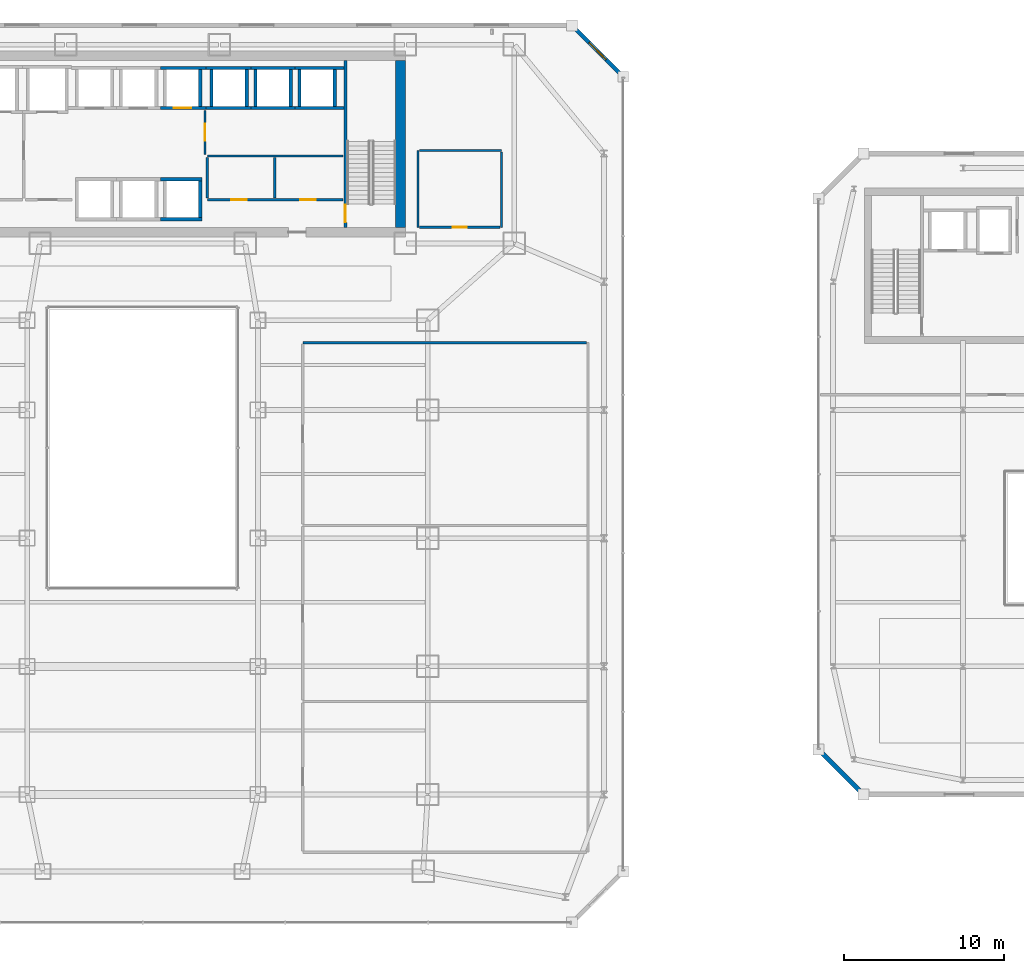
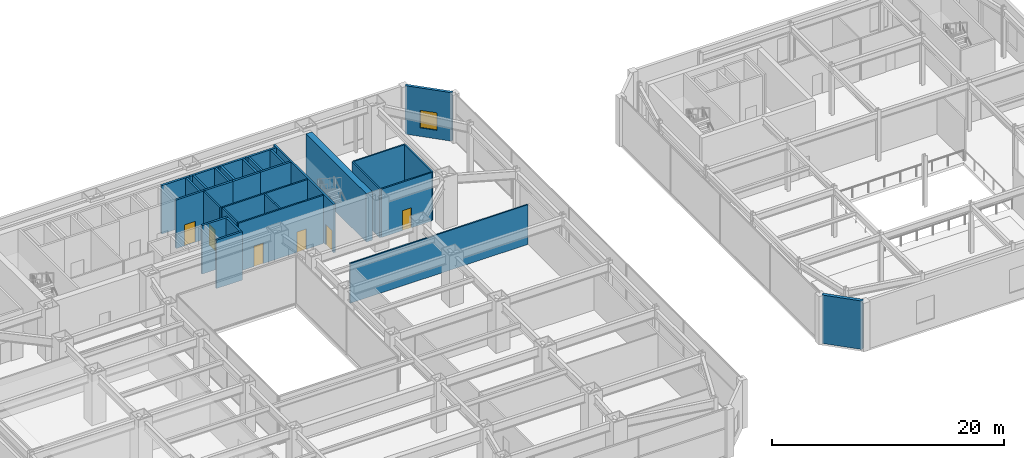
# One storey, part 41 of 52: 32 walls, 6 doors, 1 window, 7 openings.
"""IFC4 building model written with IfcOpenShell, lengths in metres."""

from ifc_helpers import new_model, si_unit, direction, frame, frame_2d, origin, place, context, subcontext, project, spatial, rectangle, extrude, material, layer, layer_set, type_object, element, fill, save


model = new_model("IFC4")

# Units and contexts
model_context = context("Model", 3, precision=1e-05, world=origin(), true_north=direction((0.0, 1.0)))
body_context = subcontext(model_context, "Body", "Model", "MODEL_VIEW")
ifc_project = project(units=[si_unit("LENGTHUNIT", "METRE"), si_unit("AREAUNIT", "SQUARE_METRE"), si_unit("VOLUMEUNIT", "CUBIC_METRE"), si_unit("PLANEANGLEUNIT", "RADIAN"), si_unit("MASSUNIT", "GRAM", prefix="KILO")], contexts=[model_context])

# Site, building, storey
site_placement = place(None, origin())
site = spatial("IfcSite", under=ifc_project, at=site_placement, CompositionType="ELEMENT")
building_placement = place(site_placement, origin())
building = spatial("IfcBuilding", under=site, at=building_placement, Name="Saevonmaru Cultural Tower", CompositionType="ELEMENT")
storey_placement = place(building_placement, frame((0.0, 0.0, 16.800048828125)))
storey = spatial("IfcBuildingStorey", under=building, at=storey_placement, Name="L03", CompositionType="ELEMENT", Elevation=16.800048828125)

# Wall
ifc_material_1 = material(Name="Concrete C60/75", Category="concrete")
ifc_layer_1 = layer(ifc_material_1, 0.60009765625, Name="Concrete C60/75")
ifc_layer_set_1 = layer_set([ifc_layer_1], Name="Concrete C60/75")
wall_type_1 = type_object("IfcWallType", Name="WL-CORE-600", PredefinedType="SHEAR", material=ifc_layer_set_1)
wall_1_placement = place(storey_placement, frame((46.10009765625, 43.39990234375, 0.0), z_axis=(0.0, 0.0, 1.0), x_axis=(0.0, 1.0, 0.0)))
element("IfcWall", 1, at=wall_1_placement, inside=storey, type_object=wall_type_1, Name="L03 Tower RC core shear wall E", PredefinedType="SHEAR", context=body_context, shape_type="SweptSolid", body=[
    extrude(rectangle(XDim=10.400146484375, YDim=0.60009765625, at=frame_2d((5.2001953125, 0.0))), origin(), (0.0, 0.0, 1.0), 5.099853515625),
])

# Wall, opening, door
ifc_material_2 = material(Name="Gypsum Fireboard Partition", Category="gypsum")
ifc_layer_2 = layer(ifc_material_2, 0.14990234375, Name="Gypsum Fireboard Partition")
ifc_layer_set_2 = layer_set([ifc_layer_2], Name="Gypsum Fireboard Partition")
wall_type_2 = type_object("IfcWallType", Name="WL-CORE-PART-150", PredefinedType="PARTITIONING", material=ifc_layer_set_2)
wall_2_placement = place(storey_placement, frame((33.89990234375, 47.949951171875, 0.0), z_axis=(0.0, 0.0, 1.0), x_axis=(0.0, 1.0, 0.0)))
wall_2 = element("IfcWall", 2, at=wall_2_placement, inside=storey, type_object=wall_type_2, Name="L03 Zone Lobby Divider", PredefinedType="PARTITIONING", context=body_context, shape_type="SweptSolid", body=[
    extrude(rectangle(XDim=2.75, YDim=0.14990234375, at=frame_2d((1.375, 0.0))), origin(), (0.0, 0.0, 1.0), 5.099853515625),
])
opening_1_placement = place(wall_2_placement, frame((0.85009765625, 0.0, 0.0)))
opening_1 = element("IfcOpeningElement", 3, at=opening_1_placement, cuts=wall_2, Name="Opening ID-1", PredefinedType="OPENING", context=body_context, shape_type="SweptSolid", body=[
    extrude(rectangle(XDim=1.050048828125, YDim=2.14990234375, at=frame_2d((0.52490234375, 1.074951171875))), frame((0.0, 0.0849609375, 0.0), z_axis=(0.0, -1.0, 0.0), x_axis=(1.0, 0.0, 0.0)), (0.0, 0.0, 1.0), 0.169921875),
])
ifc_material_3 = material(Name="Satin Bronze Anodised Aluminium", Category="aluminium")
door_type_1 = type_object("IfcDoorType", Name="DR-INT-1050", OperationType="SINGLE_SWING_LEFT", PredefinedType="DOOR", material=ifc_material_3)
door_1_placement = place(opening_1_placement, origin())
door_1 = element("IfcDoor", 4, at=door_1_placement, inside=storey, type_object=door_type_1, Name="L03 Inter-Lobby Link Door", OperationType="SINGLE_SWING_LEFT", OverallHeight=2.14990234375, OverallWidth=1.050048828125, PredefinedType="DOOR", context=body_context, shape_type="SweptSolid", body=[
    extrude(rectangle(XDim=1.050048828125, YDim=2.14990234375, at=frame_2d((0.52490234375, 1.074951171875))), frame((0.0, 0.02490234375, 0.0), z_axis=(0.0, -1.0, 0.0), x_axis=(1.0, 0.0, 0.0)), (0.0, 0.0, 1.0), 0.050048828125),
])
fill(opening_1, door_1)

# Wall, openings, doors
wall_3_placement = place(storey_placement, frame((34.050048828125, 45.1201171875, 0.0), z_axis=(0.0, 0.0, 1.0), x_axis=(1.0, 0.0, 0.0)))
wall_3 = element("IfcWall", 5, at=wall_3_placement, inside=storey, type_object=wall_type_2, Name="L03 Core Plant South Wall", PredefinedType="PARTITIONING", context=body_context, shape_type="SweptSolid", body=[
    extrude(rectangle(XDim=8.449951171875, YDim=0.14990234375, at=frame_2d((4.22509765625, 0.0))), origin(), (0.0, 0.0, 1.0), 5.099853515625),
])
opening_2_placement = place(wall_3_placement, frame((1.5, 0.0, 0.0)))
opening_2 = element("IfcOpeningElement", 6, at=opening_2_placement, cuts=wall_3, Name="Opening FD-4", PredefinedType="OPENING", context=body_context, shape_type="SweptSolid", body=[
    extrude(rectangle(XDim=0.949951171875, YDim=2.14990234375, at=frame_2d((0.47509765625, 1.074951171875))), frame((0.0, 0.0849609375, 0.0), z_axis=(0.0, -1.0, 0.0), x_axis=(1.0, 0.0, 0.0)), (0.0, 0.0, 1.0), 0.169921875),
])
opening_3_placement = place(wall_3_placement, frame((5.800048828125, 0.0, 0.0)))
opening_3 = element("IfcOpeningElement", 7, at=opening_3_placement, cuts=wall_3, Name="Opening FD-4", PredefinedType="OPENING", context=body_context, shape_type="SweptSolid", body=[
    extrude(rectangle(XDim=0.949951171875, YDim=2.14990234375, at=frame_2d((0.47509765625, 1.074951171875))), frame((0.0, 0.0849609375, 0.0), z_axis=(0.0, -1.0, 0.0), x_axis=(1.0, 0.0, 0.0)), (0.0, 0.0, 1.0), 0.169921875),
])
door_type_2 = type_object("IfcDoorType", Name="DR-FD60-950", OperationType="SINGLE_SWING_LEFT", PredefinedType="DOOR", material=ifc_material_3)
door_2_placement = place(opening_2_placement, origin())
door_2 = element("IfcDoor", 8, at=door_2_placement, inside=storey, type_object=door_type_2, Name="L03 Floor AHU Plant Door", OperationType="SINGLE_SWING_LEFT", OverallHeight=2.14990234375, OverallWidth=0.949951171875, PredefinedType="DOOR", context=body_context, shape_type="SweptSolid", body=[
    extrude(rectangle(XDim=0.949951171875, YDim=2.14990234375, at=frame_2d((0.47509765625, 1.074951171875))), frame((0.0, 0.02490234375, 0.0), z_axis=(0.0, -1.0, 0.0), x_axis=(1.0, 0.0, 0.0)), (0.0, 0.0, 1.0), 0.050048828125),
])
fill(opening_2, door_2)
door_3_placement = place(opening_3_placement, origin())
door_3 = element("IfcDoor", 9, at=door_3_placement, inside=storey, type_object=door_type_2, Name="L03 Housekeeping Storage Door", OperationType="SINGLE_SWING_LEFT", OverallHeight=2.14990234375, OverallWidth=0.949951171875, PredefinedType="DOOR", context=body_context, shape_type="SweptSolid", body=[
    extrude(rectangle(XDim=0.949951171875, YDim=2.14990234375, at=frame_2d((0.47509765625, 1.074951171875))), frame((0.0, 0.02490234375, 0.0), z_axis=(0.0, -1.0, 0.0), x_axis=(1.0, 0.0, 0.0)), (0.0, 0.0, 1.0), 0.050048828125),
])
fill(opening_3, door_3)

# Walls
wall_4_placement = place(storey_placement, frame((34.050048828125, 47.85009765625, 0.0), z_axis=(0.0, 0.0, 1.0), x_axis=(1.0, 0.0, 0.0)))
element("IfcWall", 10, at=wall_4_placement, inside=storey, type_object=wall_type_2, Name="L03 Core Plant North Wall", PredefinedType="PARTITIONING", context=body_context, shape_type="SweptSolid", body=[
    extrude(rectangle(XDim=8.449951171875, YDim=0.14990234375, at=frame_2d((4.22509765625, 0.0))), origin(), (0.0, 0.0, 1.0), 5.099853515625),
])
for number, where, z_axis, x_axis, name in (
    (11, (38.25, 45.219970703125, 0.0), (0.0, 0.0, 1.0), (0.0, 1.0, 0.0), "L03 Core Plant Split"),
    (12, (34.050048828125, 45.219970703125, 0.0), (0.0, 0.0, 1.0), (0.0, 1.0, 0.0), "L03 Core Plant West Wall"),
):
    element("IfcWall", number, at=place(storey_placement, frame(where, z_axis=z_axis, x_axis=x_axis)), inside=storey, type_object=wall_type_2, Name=name, PredefinedType="PARTITIONING", context=body_context, shape_type="SweptSolid", body=[
        extrude(rectangle(XDim=2.530029296875, YDim=0.14990234375, at=frame_2d((1.26513671875, 0.0))), origin(), (0.0, 0.0, 1.0), 5.099853515625),
    ])
ifc_material_4 = material(Name="Warm Limestone Precast Concrete C40/50", Category="masonry")
ifc_layer_3 = layer(ifc_material_4, 0.300048828125, Name="Warm Limestone Precast Concrete C40/50")
ifc_layer_set_3 = layer_set([ifc_layer_3], Name="Warm Limestone Precast Concrete C40/50")
wall_type_3 = type_object("IfcWallType", Name="WL-EXT-LIB-300", PredefinedType="STANDARD", material=ifc_layer_set_3)
wall_5_placement = place(storey_placement, frame((72.31298828125, 10.68701171875, 0.0), z_axis=(0.0, 0.0, 1.0), x_axis=(0.707106781187, -0.707106781187, 0.0)))
element("IfcWall", 13, at=wall_5_placement, inside=storey, type_object=wall_type_3, Name="L03 Central Library Fluted Stone Wall E1", PredefinedType="STANDARD", context=body_context, shape_type="SweptSolid", body=[
    extrude(rectangle(XDim=3.64013671875, YDim=0.300048828125, at=frame_2d((1.820068359375, 0.0))), origin(), (0.0, 0.0, 1.0), 5.099853515625),
])

# Wall, opening, window
ifc_material_5 = material(Name="Granite-Clad Precast Concrete C40/50", Category="masonry")
ifc_layer_4 = layer(ifc_material_5, 0.260009765625, Name="Granite-Clad Precast Concrete C40/50")
ifc_layer_set_4 = layer_set([ifc_layer_4], Name="Granite-Clad Precast Concrete C40/50")
wall_type_4 = type_object("IfcWallType", Name="WL-EXT-SPANDREL-260", PredefinedType="STANDARD", material=ifc_layer_set_4)
wall_6_placement = place(storey_placement, frame((59.886962890625, 52.9130859375, 0.0), z_axis=(0.0, 0.0, 1.0), x_axis=(-0.707106781187, 0.707106781187, 0.0)))
wall_6 = element("IfcWall", 14, at=wall_6_placement, inside=storey, type_object=wall_type_4, Name="L03 Podium Bronze-Granite Exterior Wall E5", PredefinedType="STANDARD", context=body_context, shape_type="SweptSolid", body=[
    extrude(rectangle(XDim=4.205810546875, YDim=0.260009765625, at=frame_2d((2.10302734375, 0.0))), origin(), (0.0, 0.0, 1.0), 5.099853515625),
])
opening_4_placement = place(wall_6_placement, frame((1.35302734375, 0.0, 0.89990234375)))
opening_4 = element("IfcOpeningElement", 15, at=opening_4_placement, cuts=wall_6, Name="Opening W-2B", PredefinedType="OPENING", context=body_context, shape_type="SweptSolid", body=[
    extrude(rectangle(XDim=1.5, YDim=1.85009765625, at=frame_2d((0.75, 0.925048828125))), frame((0.0, 0.14013671875, 0.0), z_axis=(0.0, -1.0, 0.0), x_axis=(1.0, 0.0, 0.0)), (0.0, 0.0, 1.0), 0.280029296875),
])
window_type = type_object("IfcWindowType", Name="WN-DECO-1500x1850", PartitioningType="SINGLE_PANEL", PredefinedType="WINDOW", material=ifc_material_3)
window_placement = place(opening_4_placement, origin())
window = element("IfcWindow", 16, at=window_placement, inside=storey, type_object=window_type, Name="L03 Chamfer Bay Window E5", OverallHeight=1.85009765625, OverallWidth=1.5, PartitioningType="SINGLE_PANEL", PredefinedType="WINDOW", context=body_context, shape_type="SweptSolid", body=[
    extrude(rectangle(XDim=1.5, YDim=1.85009765625, at=frame_2d((0.75, 0.925048828125))), frame((0.0, 0.030029296875, 0.0), z_axis=(0.0, -1.0, 0.0), x_axis=(1.0, 0.0, 0.0)), (0.0, 0.0, 1.0), 0.06005859375),
])
fill(opening_4, window)

# Walls
ifc_layer_5 = layer(ifc_material_2, 0.135009765625, Name="Gypsum Fireboard Partition")
ifc_layer_set_5 = layer_set([ifc_layer_5], Name="Gypsum Fireboard Partition")
wall_type_5 = type_object("IfcWallType", Name="WL-PART-GYP-135", PredefinedType="PARTITIONING", material=ifc_layer_set_5)
wall_7_placement = place(storey_placement, frame((40.0, 36.199951171875, 0.0), z_axis=(0.0, 0.0, 1.0), x_axis=(1.0, 0.0, 0.0)))
element("IfcWall", 17, at=wall_7_placement, inside=storey, type_object=wall_type_5, Name="L03 East Suite Split 36.2", PredefinedType="PARTITIONING", context=body_context, shape_type="SweptSolid", body=[
    extrude(rectangle(XDim=17.705078125, YDim=0.135009765625, at=frame_2d((8.8525390625, 0.0))), origin(), (0.0, 0.0, 1.0), 4.18505859375),
])
ifc_layer_6 = layer(ifc_material_2, 0.139892578125, Name="Gypsum Fireboard Partition")
ifc_layer_set_6 = layer_set([ifc_layer_6], Name="Gypsum Fireboard Partition")
wall_type_6 = type_object("IfcWallType", Name="WL-PART-WET-140", PredefinedType="PARTITIONING", material=ifc_layer_set_6)
wall_8_placement = place(storey_placement, frame((47.199951171875, 43.39990234375, 0.0), z_axis=(0.0, 0.0, 1.0), x_axis=(0.0, 1.0, 0.0)))
element("IfcWall", 18, at=wall_8_placement, inside=storey, type_object=wall_type_6, Name="L03 Podium Washroom West Wall", PredefinedType="PARTITIONING", context=body_context, shape_type="SweptSolid", body=[
    extrude(rectangle(XDim=4.800048828125, YDim=0.139892578125, at=frame_2d((2.39990234375, 0.0))), origin(), (0.0, 0.0, 1.0), 5.099853515625),
])
wall_9_placement = place(storey_placement, frame((47.2900390625, 48.199951171875, 0.0), z_axis=(0.0, 0.0, 1.0), x_axis=(1.0, 0.0, 0.0)))
element("IfcWall", 19, at=wall_9_placement, inside=storey, type_object=wall_type_6, Name="L03 Podium Washroom North Wall", PredefinedType="PARTITIONING", context=body_context, shape_type="SweptSolid", body=[
    extrude(rectangle(XDim=5.10986328125, YDim=0.139892578125, at=frame_2d((2.554931640625, 0.0))), origin(), (0.0, 0.0, 1.0), 5.099853515625),
])
wall_10_placement = place(storey_placement, frame((52.39990234375, 43.39990234375, 0.0), z_axis=(0.0, 0.0, 1.0), x_axis=(0.0, 1.0, 0.0)))
element("IfcWall", 20, at=wall_10_placement, inside=storey, type_object=wall_type_6, Name="L03 Podium Washroom East Wall", PredefinedType="PARTITIONING", context=body_context, shape_type="SweptSolid", body=[
    extrude(rectangle(XDim=4.710205078125, YDim=0.139892578125, at=frame_2d((2.35498046875, 0.0))), origin(), (0.0, 0.0, 1.0), 5.099853515625),
])

# Wall, opening, door
wall_11_placement = place(storey_placement, frame((47.2900390625, 43.39990234375, 0.0), z_axis=(0.0, 0.0, 1.0), x_axis=(1.0, 0.0, 0.0)))
wall_11 = element("IfcWall", 21, at=wall_11_placement, inside=storey, type_object=wall_type_6, Name="L03 Podium Washroom South Wall", PredefinedType="PARTITIONING", context=body_context, shape_type="SweptSolid", body=[
    extrude(rectangle(XDim=5.02001953125, YDim=0.139892578125, at=frame_2d((2.510009765625, 0.0))), origin(), (0.0, 0.0, 1.0), 5.099853515625),
])
opening_5_placement = place(wall_11_placement, frame((2.06005859375, 0.0, 0.0)))
opening_5 = element("IfcOpeningElement", 22, at=opening_5_placement, cuts=wall_11, Name="Opening ID-2", PredefinedType="OPENING", context=body_context, shape_type="SweptSolid", body=[
    extrude(rectangle(XDim=0.89990234375, YDim=2.10009765625, at=frame_2d((0.449951171875, 1.050048828125))), frame((0.0, 0.080078125, 0.0), z_axis=(0.0, -1.0, 0.0), x_axis=(1.0, 0.0, 0.0)), (0.0, 0.0, 1.0), 0.159912109375),
])
ifc_material_6 = material(Name="Acoustic Stained Oak Timber", Category="wood")
door_type_3 = type_object("IfcDoorType", Name="DR-INT-900", OperationType="SINGLE_SWING_RIGHT", PredefinedType="DOOR", material=ifc_material_6)
door_4_placement = place(opening_5_placement, origin())
door_4 = element("IfcDoor", 23, at=door_4_placement, inside=storey, type_object=door_type_3, Name="L03 Accessible Washroom Door", OperationType="SINGLE_SWING_RIGHT", OverallHeight=2.10009765625, OverallWidth=0.89990234375, PredefinedType="DOOR", context=body_context, shape_type="SweptSolid", body=[
    extrude(rectangle(XDim=0.89990234375, YDim=2.10009765625, at=frame_2d((0.449951171875, 1.050048828125))), frame((0.0, 0.02490234375, 0.0), z_axis=(0.0, -1.0, 0.0), x_axis=(1.0, 0.0, 0.0)), (0.0, 0.0, 1.0), 0.050048828125),
])
fill(opening_5, door_4)

ifc_material_7 = material(Name="Concrete C40/50", Category="concrete")
ifc_layer_7 = layer(ifc_material_7, 0.199951171875, Name="Concrete C40/50")
ifc_layer_set_7 = layer_set([ifc_layer_7], Name="Concrete C40/50")
wall_type_7 = type_object("IfcWallType", Name="WL-SHAFT-200", PredefinedType="SHEAR", material=ifc_layer_set_7)
wall_12_placement = place(storey_placement, frame((31.125, 50.85009765625, 0.0), z_axis=(0.0, 0.0, 1.0), x_axis=(1.0, 0.0, 0.0)))
wall_12 = element("IfcWall", 24, at=wall_12_placement, inside=storey, type_object=wall_type_7, Name="L03 Lift PL-L3 Hoistway Wall S", PredefinedType="SHEAR", context=body_context, shape_type="SweptSolid", body=[
    extrude(rectangle(XDim=2.824951171875, YDim=0.199951171875, at=frame_2d((1.41259765625, 0.0))), origin(), (0.0, 0.0, 1.0), 5.099853515625),
])
opening_6_placement = place(wall_12_placement, frame((0.824951171875, 0.0, 0.0)))
opening_6 = element("IfcOpeningElement", 25, at=opening_6_placement, cuts=wall_12, Name="Opening LD-1", PredefinedType="OPENING", context=body_context, shape_type="SweptSolid", body=[
    extrude(rectangle(XDim=1.10009765625, YDim=2.199951171875, at=frame_2d((0.550048828125, 1.10009765625))), frame((0.0, 0.10986328125, 0.0), z_axis=(0.0, -1.0, 0.0), x_axis=(1.0, 0.0, 0.0)), (0.0, 0.0, 1.0), 0.219970703125),
])
ifc_material_8 = material(Name="Satin Bronze Stainless Steel", Category="steel")
door_type_4 = type_object("IfcDoorType", Name="DR-LIFT-1100", OperationType="SLIDING_TO_LEFT", PredefinedType="DOOR", material=ifc_material_8)
door_5_placement = place(opening_6_placement, origin())
door_5 = element("IfcDoor", 26, at=door_5_placement, inside=storey, type_object=door_type_4, Name="L03 Lift PL-L3 Sliding Landing Door", OperationType="SLIDING_TO_LEFT", OverallHeight=2.199951171875, OverallWidth=1.10009765625, PredefinedType="DOOR", context=body_context, shape_type="SweptSolid", body=[
    extrude(rectangle(XDim=1.10009765625, YDim=2.199951171875, at=frame_2d((0.550048828125, 1.10009765625))), frame((0.0, 0.02490234375, 0.0), z_axis=(0.0, -1.0, 0.0), x_axis=(1.0, 0.0, 0.0)), (0.0, 0.0, 1.0), 0.050048828125),
])
fill(opening_6, door_5)

# Walls
wall_13_placement = place(storey_placement, frame((31.125, 53.35009765625, 0.0), z_axis=(0.0, 0.0, 1.0), x_axis=(1.0, 0.0, 0.0)))
element("IfcWall", 27, at=wall_13_placement, inside=storey, type_object=wall_type_7, Name="L03 Lift PL-L3 Hoistway Wall N", PredefinedType="SHEAR", context=body_context, shape_type="SweptSolid", body=[
    extrude(rectangle(XDim=2.824951171875, YDim=0.199951171875, at=frame_2d((1.41259765625, 0.0))), origin(), (0.0, 0.0, 1.0), 5.099853515625),
])
wall_14_placement = place(storey_placement, frame((33.60009765625, 50.949951171875, 0.0), z_axis=(0.0, 0.0, 1.0), x_axis=(0.0, 1.0, 0.0)))
element("IfcWall", 28, at=wall_14_placement, inside=storey, type_object=wall_type_7, Name="L03 Lift PL-L3 Hoistway Wall E", PredefinedType="SHEAR", context=body_context, shape_type="SweptSolid", body=[
    extrude(rectangle(XDim=2.300048828125, YDim=0.199951171875, at=frame_2d((1.14990234375, 0.0))), origin(), (0.0, 0.0, 1.0), 5.099853515625),
])
for number, where, z_axis, x_axis, name in (
    (29, (31.125, 43.89990234375, 0.0), (0.0, 0.0, 1.0), (1.0, 0.0, 0.0), "L03 Lift PL-M3 Hoistway Wall S"),
    (30, (31.125, 46.39990234375, 0.0), (0.0, 0.0, 1.0), (1.0, 0.0, 0.0), "L03 Lift PL-M3 Hoistway Wall N"),
):
    element("IfcWall", number, at=place(storey_placement, frame(where, z_axis=z_axis, x_axis=x_axis)), inside=storey, type_object=wall_type_7, Name=name, PredefinedType="SHEAR", context=body_context, shape_type="SweptSolid", body=[
        extrude(rectangle(XDim=2.574951171875, YDim=0.199951171875, at=frame_2d((1.28759765625, 0.0))), origin(), (0.0, 0.0, 1.0), 5.099853515625),
    ])
wall_15_placement = place(storey_placement, frame((33.60009765625, 44.0, 0.0), z_axis=(0.0, 0.0, 1.0), x_axis=(0.0, 1.0, 0.0)))
element("IfcWall", 31, at=wall_15_placement, inside=storey, type_object=wall_type_7, Name="L03 Lift PL-M3 Hoistway Wall E", PredefinedType="SHEAR", context=body_context, shape_type="SweptSolid", body=[
    extrude(rectangle(XDim=2.300048828125, YDim=0.199951171875, at=frame_2d((1.14990234375, 0.0))), origin(), (0.0, 0.0, 1.0), 5.099853515625),
])
for number, where, z_axis, x_axis, name in (
    (32, (33.949951171875, 50.85009765625, 0.0), (0.0, 0.0, 1.0), (1.0, 0.0, 0.0), "L03 Lift PL-H1 Hoistway Wall S"),
    (33, (33.949951171875, 53.35009765625, 0.0), (0.0, 0.0, 1.0), (1.0, 0.0, 0.0), "L03 Lift PL-H1 Hoistway Wall N"),
):
    element("IfcWall", number, at=place(storey_placement, frame(where, z_axis=z_axis, x_axis=x_axis)), inside=storey, type_object=wall_type_7, Name=name, PredefinedType="SHEAR", context=body_context, shape_type="SweptSolid", body=[
        extrude(rectangle(XDim=2.824951171875, YDim=0.199951171875, at=frame_2d((1.41259765625, 0.0))), origin(), (0.0, 0.0, 1.0), 5.099853515625),
    ])
for number, where, z_axis, x_axis, name in (
    (34, (34.300048828125, 50.949951171875, 0.0), (0.0, 0.0, 1.0), (0.0, 1.0, 0.0), "L03 Lift PL-H1 Hoistway Wall W"),
    (35, (36.5, 50.949951171875, 0.0), (0.0, 0.0, 1.0), (0.0, 1.0, 0.0), "L03 Lift PL-H1 Hoistway Wall E"),
):
    element("IfcWall", number, at=place(storey_placement, frame(where, z_axis=z_axis, x_axis=x_axis)), inside=storey, type_object=wall_type_7, Name=name, PredefinedType="SHEAR", context=body_context, shape_type="SweptSolid", body=[
        extrude(rectangle(XDim=2.300048828125, YDim=0.199951171875, at=frame_2d((1.14990234375, 0.0))), origin(), (0.0, 0.0, 1.0), 5.099853515625),
    ])
for number, where, z_axis, x_axis, name in (
    (36, (36.77490234375, 50.85009765625, 0.0), (0.0, 0.0, 1.0), (1.0, 0.0, 0.0), "L03 Lift PL-H2 Hoistway Wall S"),
    (37, (36.77490234375, 53.35009765625, 0.0), (0.0, 0.0, 1.0), (1.0, 0.0, 0.0), "L03 Lift PL-H2 Hoistway Wall N"),
):
    element("IfcWall", number, at=place(storey_placement, frame(where, z_axis=z_axis, x_axis=x_axis)), inside=storey, type_object=wall_type_7, Name=name, PredefinedType="SHEAR", context=body_context, shape_type="SweptSolid", body=[
        extrude(rectangle(XDim=2.75, YDim=0.199951171875, at=frame_2d((1.375, 0.0))), origin(), (0.0, 0.0, 1.0), 5.099853515625),
    ])
for number, where, z_axis, x_axis, name in (
    (38, (37.050048828125, 50.949951171875, 0.0), (0.0, 0.0, 1.0), (0.0, 1.0, 0.0), "L03 Lift PL-H2 Hoistway Wall W"),
    (39, (39.25, 50.949951171875, 0.0), (0.0, 0.0, 1.0), (0.0, 1.0, 0.0), "L03 Lift PL-H2 Hoistway Wall E"),
):
    element("IfcWall", number, at=place(storey_placement, frame(where, z_axis=z_axis, x_axis=x_axis)), inside=storey, type_object=wall_type_7, Name=name, PredefinedType="SHEAR", context=body_context, shape_type="SweptSolid", body=[
        extrude(rectangle(XDim=2.300048828125, YDim=0.199951171875, at=frame_2d((1.14990234375, 0.0))), origin(), (0.0, 0.0, 1.0), 5.099853515625),
    ])
for number, where, z_axis, x_axis, name in (
    (40, (39.52490234375, 50.85009765625, 0.0), (0.0, 0.0, 1.0), (1.0, 0.0, 0.0), "L03 Lift PL-H3 Hoistway Wall S"),
    (41, (39.52490234375, 53.35009765625, 0.0), (0.0, 0.0, 1.0), (1.0, 0.0, 0.0), "L03 Lift PL-H3 Hoistway Wall N"),
):
    element("IfcWall", number, at=place(storey_placement, frame(where, z_axis=z_axis, x_axis=x_axis)), inside=storey, type_object=wall_type_7, Name=name, PredefinedType="SHEAR", context=body_context, shape_type="SweptSolid", body=[
        extrude(rectangle(XDim=3.045166015625, YDim=0.199951171875, at=frame_2d((1.5224609375, 0.0))), origin(), (0.0, 0.0, 1.0), 5.099853515625),
    ])
for number, where, z_axis, x_axis, name in (
    (42, (39.800048828125, 50.949951171875, 0.0), (0.0, 0.0, 1.0), (0.0, 1.0, 0.0), "L03 Lift PL-H3 Hoistway Wall W"),
    (43, (42.0, 50.949951171875, 0.0), (0.0, 0.0, 1.0), (0.0, 1.0, 0.0), "L03 Lift PL-H3 Hoistway Wall E"),
):
    element("IfcWall", number, at=place(storey_placement, frame(where, z_axis=z_axis, x_axis=x_axis)), inside=storey, type_object=wall_type_7, Name=name, PredefinedType="SHEAR", context=body_context, shape_type="SweptSolid", body=[
        extrude(rectangle(XDim=2.300048828125, YDim=0.199951171875, at=frame_2d((1.14990234375, 0.0))), origin(), (0.0, 0.0, 1.0), 5.099853515625),
    ])

# Wall, opening, door
ifc_layer_8 = layer(ifc_material_7, 0.179931640625, Name="Concrete C40/50")
ifc_layer_set_8 = layer_set([ifc_layer_8], Name="Concrete C40/50")
wall_type_8 = type_object("IfcWallType", Name="WL-STSHAFT-180", PredefinedType="SHEAR", material=ifc_layer_set_8)
wall_16_placement = place(storey_placement, frame((42.659912109375, 53.800048828125, 0.0), z_axis=(0.0, 0.0, 1.0), x_axis=(0.0, -1.0, 0.0)))
wall_16 = element("IfcWall", 44, at=wall_16_placement, inside=storey, type_object=wall_type_8, Name="L03 Stair ST-2 Structural Shaft Wall 1", PredefinedType="SHEAR", context=body_context, shape_type="SweptSolid", body=[
    extrude(rectangle(XDim=10.400146484375, YDim=0.179931640625, at=frame_2d((5.2001953125, 0.0))), origin(), (0.0, 0.0, 1.0), 5.099853515625),
])
opening_7_placement = place(wall_16_placement, frame((8.989990234375, 0.0, 0.0)))
opening_7 = element("IfcOpeningElement", 45, at=opening_7_placement, cuts=wall_16, Name="Opening FD-2", PredefinedType="OPENING", context=body_context, shape_type="SweptSolid", body=[
    extrude(rectangle(XDim=1.10009765625, YDim=2.14990234375, at=frame_2d((0.550048828125, 1.074951171875))), frame((0.0, 0.10009765625, 0.0), z_axis=(0.0, -1.0, 0.0), x_axis=(1.0, 0.0, 0.0)), (0.0, 0.0, 1.0), 0.199951171875),
])
door_type_5 = type_object("IfcDoorType", Name="DR-FD60-1100", OperationType="SINGLE_SWING_LEFT", PredefinedType="DOOR", material=ifc_material_3)
door_6_placement = place(opening_7_placement, origin())
door_6 = element("IfcDoor", 46, at=door_6_placement, inside=storey, type_object=door_type_5, Name="L03 Protected Stair ST-2 Fire Door", OperationType="SINGLE_SWING_LEFT", OverallHeight=2.14990234375, OverallWidth=1.10009765625, PredefinedType="DOOR", context=body_context, shape_type="SweptSolid", body=[
    extrude(rectangle(XDim=1.10009765625, YDim=2.14990234375, at=frame_2d((0.550048828125, 1.074951171875))), frame((0.0, 0.02490234375, 0.0), z_axis=(0.0, -1.0, 0.0), x_axis=(1.0, 0.0, 0.0)), (0.0, 0.0, 1.0), 0.050048828125),
])
fill(opening_7, door_6)

save(model, "model.ifc")
